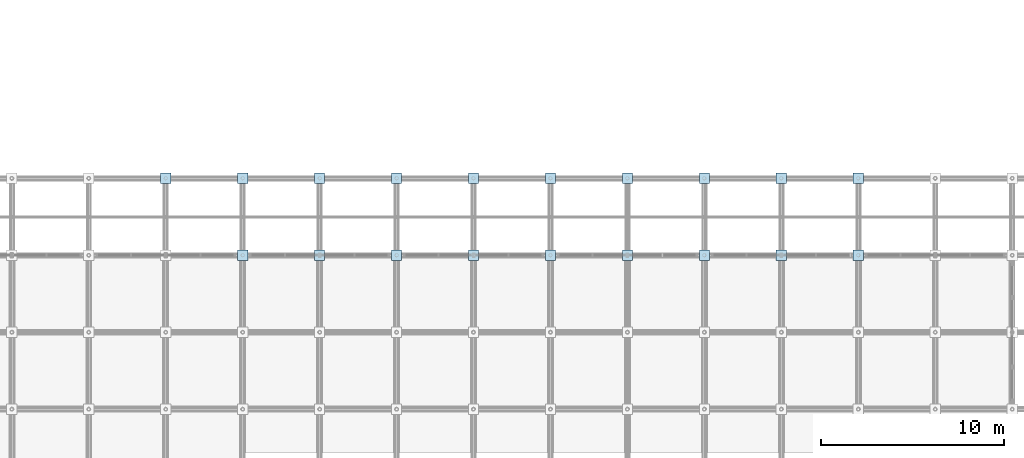
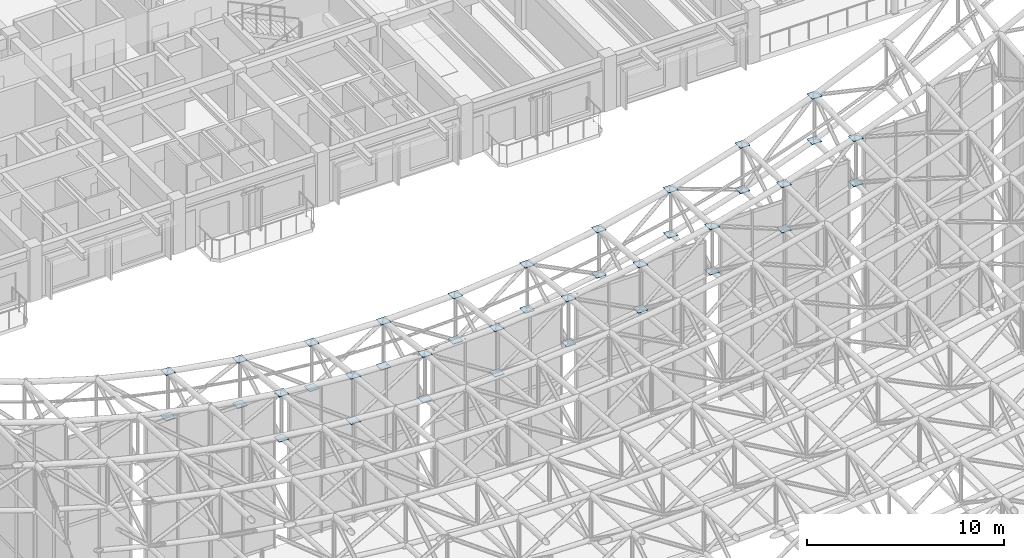
# One storey, part 73 of 93: 38 plates.
"""IFC4 building model written with IfcOpenShell, lengths in metres."""

from ifc_helpers import new_model, si_unit, direction, frame, origin, origin_2d, place, context, subcontext, project, spatial, rectangle, extrude, material, layer, layer_set, type_object, element, save


model = new_model("IFC4")

# Units and contexts
model_context = context("Model", 3, precision=1e-05, world=origin(), true_north=direction((0.0, 1.0)))
body_context = subcontext(model_context, "Body", "Model", "MODEL_VIEW")
ifc_project = project(units=[si_unit("LENGTHUNIT", "METRE"), si_unit("AREAUNIT", "SQUARE_METRE"), si_unit("VOLUMEUNIT", "CUBIC_METRE"), si_unit("PLANEANGLEUNIT", "RADIAN"), si_unit("MASSUNIT", "GRAM", prefix="KILO")], contexts=[model_context])

# Site, building, storey
site_placement = place(None, origin())
site = spatial("IfcSite", under=ifc_project, at=site_placement, CompositionType="ELEMENT")
building_placement = place(site_placement, origin())
building = spatial("IfcBuilding", under=site, at=building_placement, Name="Cumbredor Promenade Congress Hotel", CompositionType="ELEMENT")
storey_placement = place(building_placement, frame((0.0, 0.0, 21.840087890625)))
storey = spatial("IfcBuildingStorey", under=building, at=storey_placement, Name="L06", CompositionType="ELEMENT", Elevation=21.840087890625)

# Plates
ifc_material = material(Name="Steel ASTM A572 Grade 50", Category="steel")
ifc_layer = layer(ifc_material, 0.035888671875, Name="Steel ASTM A572 Grade 50", Category="steel")
ifc_layer_set = layer_set([ifc_layer], Name="Steel ASTM A572 Grade 50")
plate_type = type_object("IfcPlateType", Name="Space Frame Node Assembly ND-01", PredefinedType="USERDEFINED", material=ifc_layer_set)
for number, where, z_axis, x_axis, name in (
    (1, (21.0, 71.39990234375, 9.60302734375), (0.0, 0.0, 1.0), (1.0, 0.0, 0.0), "Plenary Congress Hall Space Frame Top Node 7.18"),
    (2, (21.0, 71.39990234375, 6.802734375), (0.0, 0.0, 1.0), (1.0, 0.0, 0.0), "Plenary Congress Hall Space Frame Bottom Node 7.18"),
    (3, (25.199951171875, 67.199951171875, 9.3544921875), (0.0, 0.0, 1.0), (1.0, 0.0, 0.0), "Plenary Congress Hall Space Frame Top Node 8.17"),
    (4, (25.199951171875, 67.199951171875, 6.5546875), (0.0, 0.0, 1.0), (1.0, 0.0, 0.0), "Plenary Congress Hall Space Frame Bottom Node 8.17"),
    (5, (25.199951171875, 71.39990234375, 8.8896484375), (0.0, 0.0, 1.0), (1.0, 0.0, 0.0), "Plenary Congress Hall Space Frame Top Node 8.18"),
    (6, (25.199951171875, 71.39990234375, 6.08984375), (0.0, 0.0, 1.0), (1.0, 0.0, 0.0), "Plenary Congress Hall Space Frame Bottom Node 8.18"),
    (7, (29.39990234375, 67.199951171875, 8.9765625), (0.0, 0.0, 1.0), (1.0, 0.0, 0.0), "Plenary Congress Hall Space Frame Top Node 9.17"),
    (8, (29.39990234375, 67.199951171875, 6.1767578125), (0.0, 0.0, 1.0), (1.0, 0.0, 0.0), "Plenary Congress Hall Space Frame Bottom Node 9.17"),
    (9, (29.39990234375, 71.39990234375, 8.4619140625), (0.0, 0.0, 1.0), (1.0, 0.0, 0.0), "Plenary Congress Hall Space Frame Top Node 9.18"),
    (10, (29.39990234375, 71.39990234375, 5.662109375), (0.0, 0.0, 1.0), (1.0, 0.0, 0.0), "Plenary Congress Hall Space Frame Bottom Node 9.18"),
    (11, (33.60009765625, 67.199951171875, 8.8515625), (0.0, 0.0, 1.0), (1.0, 0.0, 0.0), "Plenary Congress Hall Space Frame Top Node 10.17"),
    (12, (33.60009765625, 67.199951171875, 6.05126953125), (0.0, 0.0, 1.0), (1.0, 0.0, 0.0), "Plenary Congress Hall Space Frame Bottom Node 10.17"),
    (13, (33.60009765625, 71.39990234375, 8.31982421875), (0.0, 0.0, 1.0), (1.0, 0.0, 0.0), "Plenary Congress Hall Space Frame Top Node 10.18"),
    (14, (33.60009765625, 71.39990234375, 5.52001953125), (0.0, 0.0, 1.0), (1.0, 0.0, 0.0), "Plenary Congress Hall Space Frame Bottom Node 10.18"),
    (15, (37.800048828125, 67.199951171875, 8.9765625), (0.0, 0.0, 1.0), (1.0, 0.0, 0.0), "Plenary Congress Hall Space Frame Top Node 11.17"),
    (16, (37.800048828125, 67.199951171875, 6.1767578125), (0.0, 0.0, 1.0), (1.0, 0.0, 0.0), "Plenary Congress Hall Space Frame Bottom Node 11.17"),
    (17, (37.800048828125, 71.39990234375, 8.4619140625), (0.0, 0.0, 1.0), (1.0, 0.0, 0.0), "Plenary Congress Hall Space Frame Top Node 11.18"),
    (18, (37.800048828125, 71.39990234375, 5.662109375), (0.0, 0.0, 1.0), (1.0, 0.0, 0.0), "Plenary Congress Hall Space Frame Bottom Node 11.18"),
    (19, (42.0, 67.199951171875, 9.3544921875), (0.0, 0.0, 1.0), (1.0, 0.0, 0.0), "Plenary Congress Hall Space Frame Top Node 12.17"),
    (20, (42.0, 67.199951171875, 6.5546875), (0.0, 0.0, 1.0), (1.0, 0.0, 0.0), "Plenary Congress Hall Space Frame Bottom Node 12.17"),
    (21, (42.0, 71.39990234375, 8.8896484375), (0.0, 0.0, 1.0), (1.0, 0.0, 0.0), "Plenary Congress Hall Space Frame Top Node 12.18"),
    (22, (42.0, 71.39990234375, 6.08984375), (0.0, 0.0, 1.0), (1.0, 0.0, 0.0), "Plenary Congress Hall Space Frame Bottom Node 12.18"),
    (23, (46.199951171875, 67.199951171875, 9.984375), (0.0, 0.0, 1.0), (1.0, 0.0, 0.0), "Plenary Congress Hall Space Frame Top Node 13.17"),
    (24, (46.199951171875, 67.199951171875, 7.1845703125), (0.0, 0.0, 1.0), (1.0, 0.0, 0.0), "Plenary Congress Hall Space Frame Bottom Node 13.17"),
    (25, (46.199951171875, 71.39990234375, 9.60302734375), (0.0, 0.0, 1.0), (1.0, 0.0, 0.0), "Plenary Congress Hall Space Frame Top Node 13.18"),
    (26, (46.199951171875, 71.39990234375, 6.802734375), (0.0, 0.0, 1.0), (1.0, 0.0, 0.0), "Plenary Congress Hall Space Frame Bottom Node 13.18"),
    (27, (50.39990234375, 67.199951171875, 10.8662109375), (0.0, 0.0, 1.0), (1.0, 0.0, 0.0), "Plenary Congress Hall Space Frame Top Node 14.17"),
    (28, (50.39990234375, 67.199951171875, 8.06591796875), (0.0, 0.0, 1.0), (1.0, 0.0, 0.0), "Plenary Congress Hall Space Frame Bottom Node 14.17"),
    (29, (50.39990234375, 71.39990234375, 10.6015625), (0.0, 0.0, 1.0), (1.0, 0.0, 0.0), "Plenary Congress Hall Space Frame Top Node 14.18"),
    (30, (50.39990234375, 71.39990234375, 7.80126953125), (0.0, 0.0, 1.0), (1.0, 0.0, 0.0), "Plenary Congress Hall Space Frame Bottom Node 14.18"),
    (31, (54.60009765625, 67.199951171875, 12.0), (0.0, 0.0, 1.0), (1.0, 0.0, 0.0), "Plenary Congress Hall Space Frame Top Node 15.17"),
    (32, (54.60009765625, 67.199951171875, 9.19970703125), (0.0, 0.0, 1.0), (1.0, 0.0, 0.0), "Plenary Congress Hall Space Frame Bottom Node 15.17"),
    (33, (54.60009765625, 71.39990234375, 11.88525390625), (0.0, 0.0, 1.0), (1.0, 0.0, 0.0), "Plenary Congress Hall Space Frame Top Node 15.18"),
    (34, (54.60009765625, 71.39990234375, 9.0849609375), (0.0, 0.0, 1.0), (1.0, 0.0, 0.0), "Plenary Congress Hall Space Frame Bottom Node 15.18"),
    (35, (58.800048828125, 67.199951171875, 13.38525390625), (0.0, 0.0, 1.0), (1.0, 0.0, 0.0), "Plenary Congress Hall Space Frame Top Node 16.17"),
    (36, (58.800048828125, 67.199951171875, 10.58544921875), (0.0, 0.0, 1.0), (1.0, 0.0, 0.0), "Plenary Congress Hall Space Frame Bottom Node 16.17"),
    (37, (58.800048828125, 71.39990234375, 13.4541015625), (0.0, 0.0, 1.0), (1.0, 0.0, 0.0), "Plenary Congress Hall Space Frame Top Node 16.18"),
    (38, (58.800048828125, 71.39990234375, 10.654296875), (0.0, 0.0, 1.0), (1.0, 0.0, 0.0), "Plenary Congress Hall Space Frame Bottom Node 16.18"),
):
    element("IfcPlate", number, at=place(storey_placement, frame(where, z_axis=z_axis, x_axis=x_axis)), inside=storey, type_object=plate_type, Name=name, ObjectType="GUSSET PLATE", PredefinedType="USERDEFINED", context=body_context, shape_type="SweptSolid", body=[
        extrude(rectangle(XDim=0.56005859375, YDim=0.56005859375, at=origin_2d()), origin(), (0.0, 0.0, 1.0), 0.035888671875),
    ])

save(model, "model.ifc")
